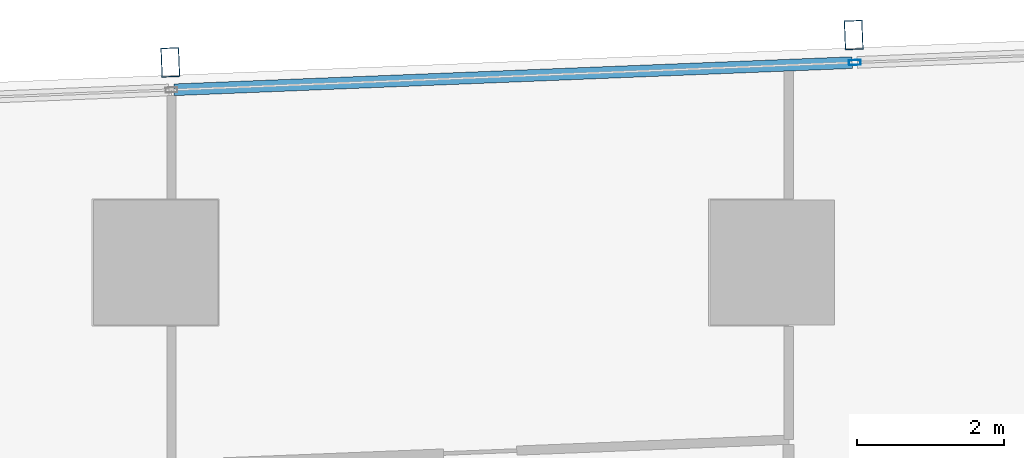
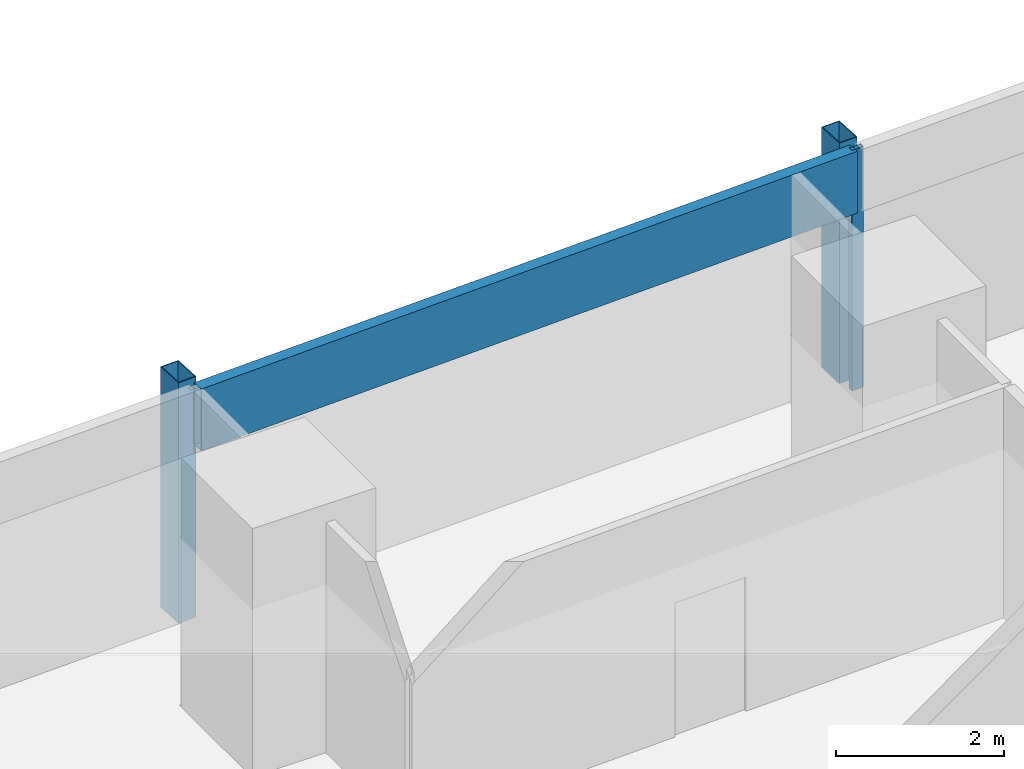
# One storey, part 17 of 40: 4 members, 1 element without a shape of its own.
"""IFC4 building model written with IfcOpenShell, lengths in metres."""

from ifc_helpers import new_model, si_unit, direction, frame, origin, origin_2d, place, context, subcontext, project, spatial, hollow_rectangle, extrude, material, material_profile, profile_set, type_object, element, aggregate, save


model = new_model("IFC4")

# Units and contexts
model_context = context("Model", 3, precision=1e-05, world=origin(), true_north=direction((0.0, 1.0)))
body_context = subcontext(model_context, "Body", "Model", "MODEL_VIEW")
ifc_project = project(units=[si_unit("LENGTHUNIT", "METRE"), si_unit("AREAUNIT", "SQUARE_METRE"), si_unit("VOLUMEUNIT", "CUBIC_METRE"), si_unit("PLANEANGLEUNIT", "RADIAN"), si_unit("MASSUNIT", "GRAM", prefix="KILO")], contexts=[model_context])

# Site, building, storey
site_placement = place(None, origin())
site = spatial("IfcSite", under=ifc_project, at=site_placement, CompositionType="ELEMENT")
building_placement = place(site_placement, origin())
building = spatial("IfcBuilding", under=site, at=building_placement, Name="Rekha Terrace Tower", CompositionType="ELEMENT")
storey_placement = place(building_placement, frame((0.0, 0.0, 132.800048828125)))
storey = spatial("IfcBuildingStorey", under=building, at=storey_placement, Name="L33", CompositionType="ELEMENT", Elevation=132.800048828125)

# Curtain wall, members
ifc_material_1 = material(Name="Aluminium framing", Category="aluminium")
curtain_wall_type = type_object("IfcCurtainWallType", Name="CW3 north unitised glazing", PredefinedType="USERDEFINED", material=ifc_material_1)
curtain_wall_placement = place(storey_placement, origin())
curtain_wall = element("IfcCurtainWall", 1, at=curtain_wall_placement, inside=storey, type_object=curtain_wall_type, Name="CW3 unitised curtain wall", ObjectType="UNITISED CURTAIN WALL", PredefinedType="USERDEFINED")
ifc_material_2 = material(Name="Steel S355 with fluorocarbon finish", Category="steel")
ifc_material_profile_1 = material_profile(ifc_material_2, hollow_rectangle(XDim=0.25, YDim=0.39990234375, WallThickness=0.012451171875, at=origin_2d()), Name="RHS400x250x12.5")
ifc_profile_set_1 = profile_set([ifc_material_profile_1], Name="Steel S355 with fluorocarbon finish")
member_type_1 = type_object("IfcMemberType", Name="BL1 facade blade RHS 400 x 250", PredefinedType="USERDEFINED", material=ifc_profile_set_1)
member_1_placement = place(storey_placement, frame((34.7109375, 61.9013671875, 0.0), z_axis=(0.0, 0.0, 1.0), x_axis=(-0.999198382632, -0.040032388711, 0.0)))
member_1 = element("IfcMember", 2, at=member_1_placement, type_object=member_type_1, Name="Facade blade", ObjectType="FACADE BLADE", PredefinedType="USERDEFINED", context=body_context, shape_type="SweptSolid", body=[
    extrude(hollow_rectangle(XDim=0.25, YDim=0.39990234375, WallThickness=0.012451171875, at=origin_2d()), origin(), (0.0, 0.0, 1.0), 3.5),
])
member_2_placement = place(storey_placement, frame((25.39892578125, 61.5283203125, 0.0), z_axis=(0.0, 0.0, 1.0), x_axis=(-0.999198382632, -0.040032388711, 0.0)))
member_2 = element("IfcMember", 3, at=member_2_placement, type_object=member_type_1, Name="Facade blade", ObjectType="FACADE BLADE", PredefinedType="USERDEFINED", context=body_context, shape_type="SweptSolid", body=[
    extrude(hollow_rectangle(XDim=0.25, YDim=0.39990234375, WallThickness=0.012451171875, at=origin_2d()), origin(), (0.0, 0.0, 1.0), 3.5),
])
ifc_material_3 = material(Name="Aluminium mullion section", Category="aluminium")
ifc_material_profile_2 = material_profile(ifc_material_3, hollow_rectangle(XDim=0.070068359375, YDim=0.159912109375, WallThickness=0.00390625, at=origin_2d()), Name="AL RHS 70x160")
ifc_profile_set_2 = profile_set([ifc_material_profile_2], Name="Aluminium mullion section")
member_type_2 = type_object("IfcMemberType", Name="CW3 mullion RHS 70 x 160", PredefinedType="MULLION", material=ifc_profile_set_2)
member_3_placement = place(storey_placement, frame((34.725830078125, 61.526611328125, 0.0), z_axis=(0.0, 0.0, 1.0), x_axis=(0.040031987119, -0.999198398721, 0.0)))
member_3 = element("IfcMember", 4, at=member_3_placement, type_object=member_type_2, Name="CW3 mullion 2", PredefinedType="MULLION", context=body_context, shape_type="SweptSolid", body=[
    extrude(hollow_rectangle(XDim=0.070068359375, YDim=0.159912109375, WallThickness=0.00390625, at=origin_2d()), origin(), (0.0, 0.0, 1.0), 3.5),
])
ifc_material_4 = material(Name="Insulated aluminium spandrel box", Category="aluminium")
ifc_material_profile_3 = material_profile(ifc_material_4, hollow_rectangle(XDim=0.159912109375, YDim=0.89990234375, WallThickness=0.0029296875, at=origin_2d()), Name="AL SPANDREL BOX 160x900")
ifc_profile_set_3 = profile_set([ifc_material_profile_3], Name="Insulated aluminium spandrel box")
member_type_3 = type_object("IfcMemberType", Name="CW3 spandrel transom 160 x 900", PredefinedType="USERDEFINED", material=ifc_profile_set_3)
member_4_placement = place(storey_placement, frame((34.69091796875, 61.525390625, 3.050048828125), z_axis=(-0.999198046754, -0.040040771263, 0.0), x_axis=(0.040040771263, -0.999198046754, 0.0)))
member_4 = element("IfcMember", 5, at=member_4_placement, type_object=member_type_3, Name="CW3 spandrel transom 2", ObjectType="TRANSOM", PredefinedType="USERDEFINED", context=body_context, shape_type="SweptSolid", body=[
    extrude(hollow_rectangle(XDim=0.159912109375, YDim=0.89990234375, WallThickness=0.0029296875, at=origin_2d()), origin(), (0.0, 0.0, 1.0), 9.24951171875),
])
aggregate(curtain_wall, [member_3, member_4, member_1, member_2])

save(model, "model.ifc")
